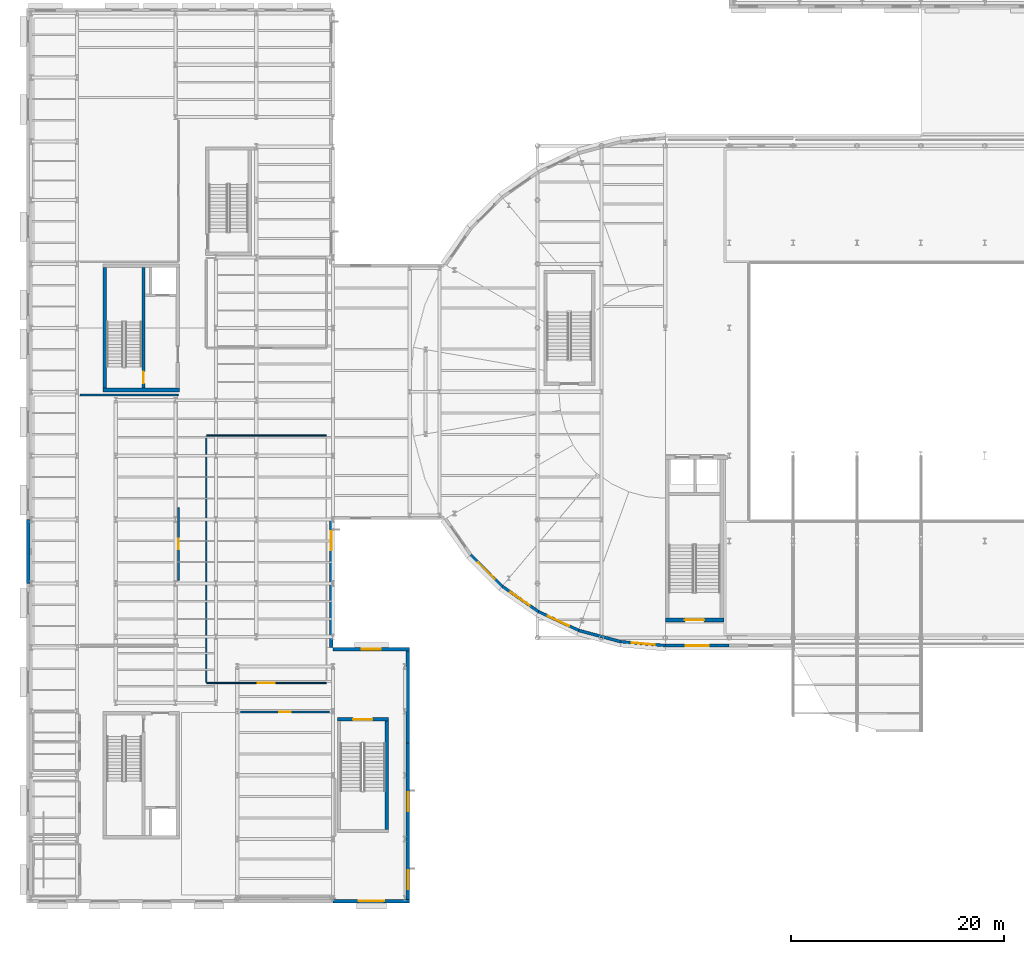
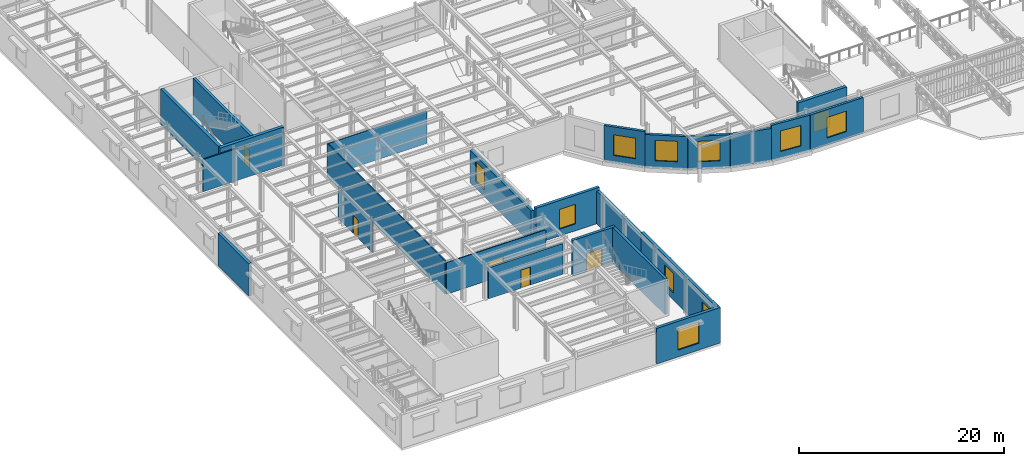
# One storey, part 64 of 91: 24 walls, 10 windows, 6 doors, 16 openings.
"""IFC4 building model written with IfcOpenShell, lengths in metres."""

from ifc_helpers import new_model, si_unit, direction, frame, frame_2d, origin, place, context, subcontext, project, spatial, rectangle, extrude, material, layer, layer_set, type_object, element, fill, save


model = new_model("IFC4")

# Units and contexts
model_context = context("Model", 3, precision=1e-05, world=origin(), true_north=direction((0.0, 1.0)))
body_context = subcontext(model_context, "Body", "Model", "MODEL_VIEW")
ifc_project = project(units=[si_unit("LENGTHUNIT", "METRE"), si_unit("AREAUNIT", "SQUARE_METRE"), si_unit("VOLUMEUNIT", "CUBIC_METRE"), si_unit("PLANEANGLEUNIT", "RADIAN"), si_unit("MASSUNIT", "GRAM", prefix="KILO")], contexts=[model_context])

# Site, building, storey
site_placement = place(None, origin())
site = spatial("IfcSite", under=ifc_project, at=site_placement, CompositionType="ELEMENT")
building_placement = place(site_placement, origin())
building = spatial("IfcBuilding", under=site, at=building_placement, Name="Kolvaren Corner Interchange", CompositionType="ELEMENT")
storey_placement = place(building_placement, frame((0.0, 0.0, 6.0)))
storey = spatial("IfcBuildingStorey", under=building, at=storey_placement, Name="L02", CompositionType="ELEMENT", Elevation=6.0)

# Walls
ifc_material_1 = material(Name="Concrete C35/45", Category="concrete")
ifc_layer_1 = layer(ifc_material_1, 0.35009765625)
ifc_layer_set_1 = layer_set([ifc_layer_1], Name="Concrete C35/45")
wall_type_1 = type_object("IfcWallType", Name="WL-CORE-350", PredefinedType="SHEAR", material=ifc_layer_set_1)
wall_1_placement = place(storey_placement, frame((7.199951171875, 48.175048828125, 0.0), z_axis=(0.0, 0.0, 1.0), x_axis=(1.0, 0.0, 0.0)))
element("IfcWall", 1, at=wall_1_placement, inside=storey, type_object=wall_type_1, Name="Core C2 L02 South Shear Wall", PredefinedType="SHEAR", context=body_context, shape_type="SweptSolid", body=[
    extrude(rectangle(XDim=7.199951171875, YDim=0.35009765625, at=frame_2d((3.60009765625, 0.0))), origin(), (0.0, 0.0, 1.0), 4.25),
])
wall_2_placement = place(storey_placement, frame((7.375, 48.35009765625, 0.0), z_axis=(0.0, 0.0, 1.0), x_axis=(0.0, 1.0, 0.0)))
element("IfcWall", 2, at=wall_2_placement, inside=storey, type_object=wall_type_1, Name="Core C2 L02 West Shear Wall", PredefinedType="SHEAR", context=body_context, shape_type="SweptSolid", body=[
    extrude(rectangle(XDim=11.2998046875, YDim=0.35009765625, at=frame_2d((5.64990234375, 0.0))), origin(), (0.0, 0.0, 1.0), 4.25),
])

# Wall, opening, door
wall_3_placement = place(storey_placement, frame((60.0, 26.574951171875, 0.0), z_axis=(0.0, 0.0, 1.0), x_axis=(1.0, 0.0, 0.0)))
wall_3 = element("IfcWall", 3, at=wall_3_placement, inside=storey, type_object=wall_type_1, Name="Core C3 L02 South Shear Wall", PredefinedType="SHEAR", context=body_context, shape_type="SweptSolid", body=[
    extrude(rectangle(XDim=5.5, YDim=0.35009765625, at=frame_2d((2.75, 0.0))), origin(), (0.0, 0.0, 1.0), 4.25),
])
opening_1_placement = place(wall_3_placement, frame((1.85009765625, 0.0, 0.0)))
opening_1 = element("IfcOpeningElement", 4, at=opening_1_placement, cuts=wall_3, Name="Opening D-F01", PredefinedType="OPENING", context=body_context, shape_type="SweptSolid", body=[
    extrude(rectangle(XDim=1.800048828125, YDim=2.14990234375, at=frame_2d((0.89990234375, 1.074951171875))), frame((0.0, 0.18505859375, 0.0), z_axis=(0.0, -1.0, 0.0), x_axis=(1.0, 0.0, 0.0)), (0.0, 0.0, 1.0), 0.3701171875),
])
ifc_material_2 = material(Name="Powder-coated Fire-rated Steel Sheet", Category="steel")
door_type_1 = type_object("IfcDoorType", Name="DT-FD-1800x2150", OperationType="NOTDEFINED", PredefinedType="DOOR", material=ifc_material_2)
door_1_placement = place(opening_1_placement, origin())
door_1 = element("IfcDoor", 5, at=door_1_placement, inside=storey, type_object=door_type_1, Name="Core C3 West Concourse Transfer Stair L02 Protected Exit Door", OperationType="DOUBLE_DOOR_SINGLE_SWING", OverallHeight=2.14990234375, OverallWidth=1.800048828125, PredefinedType="DOOR", context=body_context, shape_type="SweptSolid", body=[
    extrude(rectangle(XDim=1.800048828125, YDim=2.14990234375, at=frame_2d((0.89990234375, 1.074951171875))), frame((0.0, 0.02490234375, 0.0), z_axis=(0.0, -1.0, 0.0), x_axis=(1.0, 0.0, 0.0)), (0.0, 0.0, 1.0), 0.050048828125),
])
fill(opening_1, door_1)

ifc_material_3 = material(Name="Concrete C35/45", Category="concrete")
ifc_layer_2 = layer(ifc_material_3, 0.31005859375)
ifc_layer_set_2 = layer_set([ifc_layer_2], Name="Concrete C35/45")
wall_type_2 = type_object("IfcWallType", Name="WL-STAIR-300", PredefinedType="SHEAR", material=ifc_layer_set_2)
wall_4_placement = place(storey_placement, frame((11.0, 48.35009765625, 0.0), z_axis=(0.0, 0.0, 1.0), x_axis=(0.0, 1.0, 0.0)))
wall_4 = element("IfcWall", 6, at=wall_4_placement, inside=storey, type_object=wall_type_2, Name="Core C2 L02 Firefighting Stairwell Divider Wall", PredefinedType="SHEAR", context=body_context, shape_type="SweptSolid", body=[
    extrude(rectangle(XDim=11.2998046875, YDim=0.31005859375, at=frame_2d((5.64990234375, 0.0))), origin(), (0.0, 0.0, 1.0), 4.25),
])
opening_2_placement = place(wall_4_placement, frame((0.449951171875, 0.0, 0.0)))
opening_2 = element("IfcOpeningElement", 7, at=opening_2_placement, cuts=wall_4, Name="Opening D-F03", PredefinedType="OPENING", context=body_context, shape_type="SweptSolid", body=[
    extrude(rectangle(XDim=1.10009765625, YDim=2.14990234375, at=frame_2d((0.550048828125, 1.074951171875))), frame((0.0, 0.1650390625, 0.0), z_axis=(0.0, -1.0, 0.0), x_axis=(1.0, 0.0, 0.0)), (0.0, 0.0, 1.0), 0.330078125),
])
ifc_material_4 = material(Name="Powder-coated Fire-rated Steel Sheet", Category="steel")
door_type_2 = type_object("IfcDoorType", Name="DT-FD-1100x2150", OperationType="NOTDEFINED", PredefinedType="DOOR", material=ifc_material_4)
door_2_placement = place(opening_2_placement, origin())
door_2 = element("IfcDoor", 8, at=door_2_placement, inside=storey, type_object=door_type_2, Name="Core C2 Northwest Firefighting Stair L02 Protected Exit Door", OperationType="SINGLE_SWING_RIGHT", OverallHeight=2.14990234375, OverallWidth=1.10009765625, PredefinedType="DOOR", context=body_context, shape_type="SweptSolid", body=[
    extrude(rectangle(XDim=1.10009765625, YDim=2.14990234375, at=frame_2d((0.550048828125, 1.074951171875))), frame((0.0, 0.02490234375, 0.0), z_axis=(0.0, -1.0, 0.0), x_axis=(1.0, 0.0, 0.0)), (0.0, 0.0, 1.0), 0.050048828125),
])
fill(opening_2, door_2)

wall_5_placement = place(storey_placement, frame((29.199951171875, 17.2451171875, 0.0), z_axis=(0.0, 0.0, 1.0), x_axis=(1.0, 0.0, 0.0)))
wall_5 = element("IfcWall", 9, at=wall_5_placement, inside=storey, type_object=wall_type_2, Name="Operations South Bar Protected Exit Stair L02 North Enclosure Wall", PredefinedType="SHEAR", context=body_context, shape_type="SweptSolid", body=[
    extrude(rectangle(XDim=4.800048828125, YDim=0.31005859375, at=frame_2d((2.39990234375, 0.0))), origin(), (0.0, 0.0, 1.0), 4.25),
])
opening_3_placement = place(wall_5_placement, frame((1.5, 0.0, 0.0)))
opening_3 = element("IfcOpeningElement", 10, at=opening_3_placement, cuts=wall_5, Name="Opening D-F01", PredefinedType="OPENING", context=body_context, shape_type="SweptSolid", body=[
    extrude(rectangle(XDim=1.800048828125, YDim=2.14990234375, at=frame_2d((0.89990234375, 1.074951171875))), frame((0.0, 0.1650390625, 0.0), z_axis=(0.0, -1.0, 0.0), x_axis=(1.0, 0.0, 0.0)), (0.0, 0.0, 1.0), 0.330078125),
])
door_3_placement = place(opening_3_placement, origin())
door_3 = element("IfcDoor", 11, at=door_3_placement, inside=storey, type_object=door_type_1, Name="Operations South Bar Protected Exit Stair L02 Protected Exit Door", OperationType="DOUBLE_DOOR_SINGLE_SWING", OverallHeight=2.14990234375, OverallWidth=1.800048828125, PredefinedType="DOOR", context=body_context, shape_type="SweptSolid", body=[
    extrude(rectangle(XDim=1.800048828125, YDim=2.14990234375, at=frame_2d((0.89990234375, 1.074951171875))), frame((0.0, 0.02490234375, 0.0), z_axis=(0.0, -1.0, 0.0), x_axis=(1.0, 0.0, 0.0)), (0.0, 0.0, 1.0), 0.050048828125),
])
fill(opening_3, door_3)

# Wall
wall_6_placement = place(storey_placement, frame((33.844970703125, 6.909912109375, 0.0), z_axis=(0.0, 0.0, 1.0), x_axis=(0.0, 1.0, 0.0)))
element("IfcWall", 12, at=wall_6_placement, inside=storey, type_object=wall_type_2, Name="Operations South Bar Protected Exit Stair L02 East Enclosure Wall", PredefinedType="SHEAR", context=body_context, shape_type="SweptSolid", body=[
    extrude(rectangle(XDim=10.18017578125, YDim=0.31005859375, at=frame_2d((5.090087890625, 0.0))), origin(), (0.0, 0.0, 1.0), 4.25),
])

# Wall, opening, window
ifc_material_5 = material(Name="Cream Architectural Terracotta Rainscreen Assembly", Category="masonry")
ifc_layer_3 = layer(ifc_material_5, 0.330078125)
ifc_layer_set_3 = layer_set([ifc_layer_3], Name="Cream Architectural Terracotta Rainscreen Assembly")
wall_type_3 = type_object("IfcWallType", Name="WT-EXT-TC320", PredefinedType="SOLIDWALL", material=ifc_layer_set_3)
wall_7_placement = place(storey_placement, frame((28.800048828125, 0.179931640625, 0.0), z_axis=(0.0, 0.0, 1.0), x_axis=(1.0, 0.0, 0.0)))
wall_7 = element("IfcWall", 13, at=wall_7_placement, inside=storey, type_object=wall_type_3, Name="Operations Boulevard South Facade Wall 0015", PredefinedType="SOLIDWALL", context=body_context, shape_type="SweptSolid", body=[
    extrude(rectangle(XDim=7.199951171875, YDim=0.330078125, at=frame_2d((3.60009765625, 0.0))), origin(), (0.0, 0.0, 1.0), 4.25),
])
opening_4_placement = place(wall_7_placement, frame((2.39990234375, 0.0, 0.820068359375)))
opening_4 = element("IfcOpeningElement", 14, at=opening_4_placement, cuts=wall_7, Name="Opening W-01", PredefinedType="OPENING", context=body_context, shape_type="SweptSolid", body=[
    extrude(rectangle(XDim=2.39990234375, YDim=2.550048828125, at=frame_2d((1.199951171875, 1.27490234375))), frame((0.0, 0.175048828125, 0.0), z_axis=(0.0, -1.0, 0.0), x_axis=(1.0, 0.0, 0.0)), (0.0, 0.0, 1.0), 0.35009765625),
])
ifc_material_6 = material(Name="Thermally Broken Aluminium and Solar-Control Double Glazing", Category="aluminium")
window_type_1 = type_object("IfcWindowType", Name="WT-CHI-2400x2600", PartitioningType="TRIPLE_PANEL_HORIZONTAL", PredefinedType="WINDOW", material=ifc_material_6)
window_1_placement = place(opening_4_placement, origin())
window_1 = element("IfcWindow", 15, at=window_1_placement, inside=storey, type_object=window_type_1, Name="L02 Operations Boulevard South Facade Window 0032", OverallHeight=2.550048828125, OverallWidth=2.39990234375, PartitioningType="SINGLE_PANEL", PredefinedType="WINDOW", context=body_context, shape_type="SweptSolid", body=[
    extrude(rectangle(XDim=2.39990234375, YDim=2.550048828125, at=frame_2d((1.199951171875, 1.27490234375))), frame((0.0, 0.030029296875, 0.0), z_axis=(0.0, -1.0, 0.0), x_axis=(1.0, 0.0, 0.0)), (0.0, 0.0, 1.0), 0.06005859375),
])
fill(opening_4, window_1)

# Wall, openings, windows
wall_8_placement = place(storey_placement, frame((35.830078125, 0.344970703125, 0.0), z_axis=(0.0, 0.0, 1.0), x_axis=(0.0, 1.0, 0.0)))
wall_8 = element("IfcWall", 16, at=wall_8_placement, inside=storey, type_object=wall_type_3, Name="Operations Forecourt East Facade Wall 0016", PredefinedType="SOLIDWALL", context=body_context, shape_type="SweptSolid", body=[
    extrude(rectangle(XDim=14.655029296875, YDim=0.330078125, at=frame_2d((7.32763671875, 0.0))), origin(), (0.0, 0.0, 1.0), 4.25),
])
opening_5_placement = place(wall_8_placement, frame((0.931884765625, 0.0, 0.820068359375)))
opening_5 = element("IfcOpeningElement", 17, at=opening_5_placement, cuts=wall_8, Name="Opening W-03", PredefinedType="OPENING", context=body_context, shape_type="SweptSolid", body=[
    extrude(rectangle(XDim=1.800048828125, YDim=2.35009765625, at=frame_2d((0.89990234375, 1.175048828125))), frame((0.0, 0.175048828125, 0.0), z_axis=(0.0, -1.0, 0.0), x_axis=(1.0, 0.0, 0.0)), (0.0, 0.0, 1.0), 0.35009765625),
])
opening_6_placement = place(wall_8_placement, frame((8.259521484375, 0.0, 0.820068359375)))
opening_6 = element("IfcOpeningElement", 18, at=opening_6_placement, cuts=wall_8, Name="Opening W-03", PredefinedType="OPENING", context=body_context, shape_type="SweptSolid", body=[
    extrude(rectangle(XDim=1.800048828125, YDim=2.35009765625, at=frame_2d((0.89990234375, 1.175048828125))), frame((0.0, 0.175048828125, 0.0), z_axis=(0.0, -1.0, 0.0), x_axis=(1.0, 0.0, 0.0)), (0.0, 0.0, 1.0), 0.35009765625),
])
ifc_material_7 = material(Name="Thermally Broken Aluminium and Solar-Control Double Glazing", Category="aluminium")
window_type_2 = type_object("IfcWindowType", Name="WT-CHI-1800x2400", PartitioningType="DOUBLE_PANEL_VERTICAL", PredefinedType="WINDOW", material=ifc_material_7)
window_2_placement = place(opening_5_placement, origin())
window_2 = element("IfcWindow", 19, at=window_2_placement, inside=storey, type_object=window_type_2, Name="L02 Operations Forecourt East Facade Window 0033", OverallHeight=2.35009765625, OverallWidth=1.800048828125, PartitioningType="SINGLE_PANEL", PredefinedType="WINDOW", context=body_context, shape_type="SweptSolid", body=[
    extrude(rectangle(XDim=1.800048828125, YDim=2.35009765625, at=frame_2d((0.89990234375, 1.175048828125))), frame((0.0, 0.030029296875, 0.0), z_axis=(0.0, -1.0, 0.0), x_axis=(1.0, 0.0, 0.0)), (0.0, 0.0, 1.0), 0.06005859375),
])
fill(opening_5, window_2)
window_3_placement = place(opening_6_placement, origin())
window_3 = element("IfcWindow", 20, at=window_3_placement, inside=storey, type_object=window_type_2, Name="L02 Operations Forecourt East Facade Window 0034", OverallHeight=2.35009765625, OverallWidth=1.800048828125, PartitioningType="SINGLE_PANEL", PredefinedType="WINDOW", context=body_context, shape_type="SweptSolid", body=[
    extrude(rectangle(XDim=1.800048828125, YDim=2.35009765625, at=frame_2d((0.89990234375, 1.175048828125))), frame((0.0, 0.030029296875, 0.0), z_axis=(0.0, -1.0, 0.0), x_axis=(1.0, 0.0, 0.0)), (0.0, 0.0, 1.0), 0.06005859375),
])
fill(opening_6, window_3)

# Wall
wall_9_placement = place(storey_placement, frame((35.830078125, 15.0, 0.0), z_axis=(0.0, 0.0, 1.0), x_axis=(0.0, 1.0, 0.0)))
element("IfcWall", 21, at=wall_9_placement, inside=storey, type_object=wall_type_3, Name="Operations Forecourt East Facade Wall 0017", PredefinedType="SOLIDWALL", context=body_context, shape_type="SweptSolid", body=[
    extrude(rectangle(XDim=8.64990234375, YDim=0.330078125, at=frame_2d((4.324951171875, 0.0))), origin(), (0.0, 0.0, 1.0), 3.925048828125),
])

# Wall, opening, window
wall_10_placement = place(storey_placement, frame((36.0, 23.830078125, 0.0), z_axis=(0.0, 0.0, 1.0), x_axis=(-1.0, 0.0, 0.0)))
wall_10 = element("IfcWall", 22, at=wall_10_placement, inside=storey, type_object=wall_type_3, Name="Operations Inner Courtyard South Return Wall 0018", PredefinedType="SOLIDWALL", context=body_context, shape_type="SweptSolid", body=[
    extrude(rectangle(XDim=7.199951171875, YDim=0.330078125, at=frame_2d((3.60009765625, 0.0))), origin(), (0.0, 0.0, 1.0), 4.25),
])
opening_7_placement = place(wall_10_placement, frame((2.699951171875, 0.0, 0.820068359375)))
opening_7 = element("IfcOpeningElement", 23, at=opening_7_placement, cuts=wall_10, Name="Opening W-03", PredefinedType="OPENING", context=body_context, shape_type="SweptSolid", body=[
    extrude(rectangle(XDim=1.800048828125, YDim=2.35009765625, at=frame_2d((0.89990234375, 1.175048828125))), frame((0.0, 0.175048828125, 0.0), z_axis=(0.0, -1.0, 0.0), x_axis=(1.0, 0.0, 0.0)), (0.0, 0.0, 1.0), 0.35009765625),
])
window_4_placement = place(opening_7_placement, origin())
window_4 = element("IfcWindow", 24, at=window_4_placement, inside=storey, type_object=window_type_2, Name="L02 Operations Inner Courtyard South Return Window 0035", OverallHeight=2.35009765625, OverallWidth=1.800048828125, PartitioningType="SINGLE_PANEL", PredefinedType="WINDOW", context=body_context, shape_type="SweptSolid", body=[
    extrude(rectangle(XDim=1.800048828125, YDim=2.35009765625, at=frame_2d((0.89990234375, 1.175048828125))), frame((0.0, 0.030029296875, 0.0), z_axis=(0.0, -1.0, 0.0), x_axis=(1.0, 0.0, 0.0)), (0.0, 0.0, 1.0), 0.06005859375),
])
fill(opening_7, window_4)

wall_11_placement = place(storey_placement, frame((28.6298828125, 24.0, 0.0), z_axis=(0.0, 0.0, 1.0), x_axis=(0.0, 1.0, 0.0)))
wall_11 = element("IfcWall", 25, at=wall_11_placement, inside=storey, type_object=wall_type_3, Name="Operations Courtyard Lower East Facade Wall 0019", PredefinedType="SOLIDWALL", context=body_context, shape_type="SweptSolid", body=[
    extrude(rectangle(XDim=12.0, YDim=0.330078125, at=frame_2d((6.0, 0.0))), origin(), (0.0, 0.0, 1.0), 3.844970703125),
])
opening_8_placement = place(wall_11_placement, frame((9.10009765625, 0.0, 0.820068359375)))
opening_8 = element("IfcOpeningElement", 26, at=opening_8_placement, cuts=wall_11, Name="Opening W-03", PredefinedType="OPENING", context=body_context, shape_type="SweptSolid", body=[
    extrude(rectangle(XDim=1.800048828125, YDim=2.35009765625, at=frame_2d((0.89990234375, 1.175048828125))), frame((0.0, 0.175048828125, 0.0), z_axis=(0.0, -1.0, 0.0), x_axis=(1.0, 0.0, 0.0)), (0.0, 0.0, 1.0), 0.35009765625),
])
window_5_placement = place(opening_8_placement, origin())
window_5 = element("IfcWindow", 27, at=window_5_placement, inside=storey, type_object=window_type_2, Name="L02 Operations Courtyard Lower East Facade Window 0036", OverallHeight=2.35009765625, OverallWidth=1.800048828125, PartitioningType="SINGLE_PANEL", PredefinedType="WINDOW", context=body_context, shape_type="SweptSolid", body=[
    extrude(rectangle(XDim=1.800048828125, YDim=2.35009765625, at=frame_2d((0.89990234375, 1.175048828125))), frame((0.0, 0.030029296875, 0.0), z_axis=(0.0, -1.0, 0.0), x_axis=(1.0, 0.0, 0.0)), (0.0, 0.0, 1.0), 0.06005859375),
])
fill(opening_8, window_5)

# Wall
wall_12_placement = place(storey_placement, frame((0.169921875, 36.0, 0.0), z_axis=(0.0, 0.0, 1.0), x_axis=(0.0, -1.0, 0.0)))
element("IfcWall", 28, at=wall_12_placement, inside=storey, type_object=wall_type_3, Name="Operations Trelmava Street West Facade Wall 0023", PredefinedType="SOLIDWALL", context=body_context, shape_type="SweptSolid", body=[
    extrude(rectangle(XDim=6.0, YDim=0.330078125, at=frame_2d((3.0, 0.0))), origin(), (0.0, 0.0, 1.0), 3.885009765625),
])

# Wall, opening, window
ifc_material_8 = material(Name="White Glazed Ceramic Terracotta Band Assembly", Category="masonry")
ifc_layer_4 = layer(ifc_material_8, 0.280029296875)
ifc_layer_set_4 = layer_set([ifc_layer_4], Name="White Glazed Ceramic Terracotta Band Assembly")
wall_type_4 = type_object("IfcWallType", Name="WT-EXT-WHT280", PredefinedType="SOLIDWALL", material=ifc_layer_set_4)
wall_13_placement = place(storey_placement, frame((41.737548828125, 32.67578125, 0.0), z_axis=(0.0, 0.0, 1.0), x_axis=(0.707106781187, -0.707106781187, 0.0)))
wall_13 = element("IfcWall", 29, at=wall_13_placement, inside=storey, type_object=wall_type_4, Name="Racetrack West Curved Drum Chord 14 Wall 0084", PredefinedType="SOLIDWALL", context=body_context, shape_type="SweptSolid", body=[
    extrude(rectangle(XDim=4.1552734375, YDim=0.280029296875, at=frame_2d((2.07763671875, 0.0))), origin(), (0.0, 0.0, 1.0), 4.25),
])
opening_9_placement = place(wall_13_placement, frame((0.977783203125, 0.0, 0.85009765625)))
opening_9 = element("IfcOpeningElement", 30, at=opening_9_placement, cuts=wall_13, Name="Opening W-04", PredefinedType="OPENING", context=body_context, shape_type="SweptSolid", body=[
    extrude(rectangle(XDim=2.199951171875, YDim=2.449951171875, at=frame_2d((1.10009765625, 1.22509765625))), frame((0.0, 0.14990234375, 0.0), z_axis=(0.0, -1.0, 0.0), x_axis=(1.0, 0.0, 0.0)), (0.0, 0.0, 1.0), 0.300048828125),
])
ifc_material_9 = material(Name="Thermally Broken Aluminium and Solar-Control Double Glazing", Category="aluminium")
window_type_3 = type_object("IfcWindowType", Name="WT-ARC-2200x2450", PartitioningType="DOUBLE_PANEL_VERTICAL", PredefinedType="WINDOW", material=ifc_material_9)
window_6_placement = place(opening_9_placement, origin())
window_6 = element("IfcWindow", 31, at=window_6_placement, inside=storey, type_object=window_type_3, Name="L02 Racetrack West Curved Drum Chord 14 Window 0161", OverallHeight=2.449951171875, OverallWidth=2.199951171875, PartitioningType="SINGLE_PANEL", PredefinedType="WINDOW", context=body_context, shape_type="SweptSolid", body=[
    extrude(rectangle(XDim=2.199951171875, YDim=2.449951171875, at=frame_2d((1.10009765625, 1.22509765625))), frame((0.0, 0.030029296875, 0.0), z_axis=(0.0, -1.0, 0.0), x_axis=(1.0, 0.0, 0.0)), (0.0, 0.0, 1.0), 0.06005859375),
])
fill(opening_9, window_6)

wall_14_placement = place(storey_placement, frame((44.67578125, 29.737548828125, 0.0), z_axis=(0.0, 0.0, 1.0), x_axis=(0.819171197327, -0.573549082007, 0.0)))
wall_14 = element("IfcWall", 32, at=wall_14_placement, inside=storey, type_object=wall_type_4, Name="Racetrack West Curved Drum Chord 15 Wall 0085", PredefinedType="SOLIDWALL", context=body_context, shape_type="SweptSolid", body=[
    extrude(rectangle(XDim=4.15576171875, YDim=0.280029296875, at=frame_2d((2.077880859375, 0.0))), origin(), (0.0, 0.0, 1.0), 3.925048828125),
])
opening_10_placement = place(wall_14_placement, frame((0.977783203125, 0.0, 0.85009765625)))
opening_10 = element("IfcOpeningElement", 33, at=opening_10_placement, cuts=wall_14, Name="Opening W-04", PredefinedType="OPENING", context=body_context, shape_type="SweptSolid", body=[
    extrude(rectangle(XDim=2.199951171875, YDim=2.449951171875, at=frame_2d((1.10009765625, 1.22509765625))), frame((0.0, 0.14990234375, 0.0), z_axis=(0.0, -1.0, 0.0), x_axis=(1.0, 0.0, 0.0)), (0.0, 0.0, 1.0), 0.300048828125),
])
window_7_placement = place(opening_10_placement, origin())
window_7 = element("IfcWindow", 34, at=window_7_placement, inside=storey, type_object=window_type_3, Name="L02 Racetrack West Curved Drum Chord 15 Window 0162", OverallHeight=2.449951171875, OverallWidth=2.199951171875, PartitioningType="SINGLE_PANEL", PredefinedType="WINDOW", context=body_context, shape_type="SweptSolid", body=[
    extrude(rectangle(XDim=2.199951171875, YDim=2.449951171875, at=frame_2d((1.10009765625, 1.22509765625))), frame((0.0, 0.030029296875, 0.0), z_axis=(0.0, -1.0, 0.0), x_axis=(1.0, 0.0, 0.0)), (0.0, 0.0, 1.0), 0.06005859375),
])
fill(opening_10, window_7)

wall_15_placement = place(storey_placement, frame((48.080078125, 27.35400390625, 0.0), z_axis=(0.0, 0.0, 1.0), x_axis=(0.906291177731, -0.422653878685, 0.0)))
wall_15 = element("IfcWall", 35, at=wall_15_placement, inside=storey, type_object=wall_type_4, Name="Racetrack West Curved Drum Chord 16 Wall 0086", PredefinedType="SOLIDWALL", context=body_context, shape_type="SweptSolid", body=[
    extrude(rectangle(XDim=4.155517578125, YDim=0.280029296875, at=frame_2d((2.07763671875, 0.0))), origin(), (0.0, 0.0, 1.0), 3.905029296875),
])
opening_11_placement = place(wall_15_placement, frame((0.977783203125, 0.0, 0.85009765625)))
opening_11 = element("IfcOpeningElement", 36, at=opening_11_placement, cuts=wall_15, Name="Opening W-04", PredefinedType="OPENING", context=body_context, shape_type="SweptSolid", body=[
    extrude(rectangle(XDim=2.199951171875, YDim=2.449951171875, at=frame_2d((1.10009765625, 1.22509765625))), frame((0.0, 0.14990234375, 0.0), z_axis=(0.0, -1.0, 0.0), x_axis=(1.0, 0.0, 0.0)), (0.0, 0.0, 1.0), 0.300048828125),
])
window_8_placement = place(opening_11_placement, origin())
window_8 = element("IfcWindow", 37, at=window_8_placement, inside=storey, type_object=window_type_3, Name="L02 Racetrack West Curved Drum Chord 16 Window 0163", OverallHeight=2.449951171875, OverallWidth=2.199951171875, PartitioningType="SINGLE_PANEL", PredefinedType="WINDOW", context=body_context, shape_type="SweptSolid", body=[
    extrude(rectangle(XDim=2.199951171875, YDim=2.449951171875, at=frame_2d((1.10009765625, 1.22509765625))), frame((0.0, 0.030029296875, 0.0), z_axis=(0.0, -1.0, 0.0), x_axis=(1.0, 0.0, 0.0)), (0.0, 0.0, 1.0), 0.06005859375),
])
fill(opening_11, window_8)

# Wall
wall_16_placement = place(storey_placement, frame((51.84619140625, 25.59765625, 0.0), z_axis=(0.0, 0.0, 1.0), x_axis=(0.965931006096, -0.258799713026, 0.0)))
element("IfcWall", 38, at=wall_16_placement, inside=storey, type_object=wall_type_4, Name="Racetrack West Curved Drum Chord 17 Wall 0087", PredefinedType="SOLIDWALL", context=body_context, shape_type="SweptSolid", body=[
    extrude(rectangle(XDim=4.155517578125, YDim=0.280029296875, at=frame_2d((2.07763671875, 0.0))), origin(), (0.0, 0.0, 1.0), 3.885009765625),
])

# Wall, opening, window
wall_17_placement = place(storey_placement, frame((55.860107421875, 24.522216796875, 0.0), z_axis=(0.0, 0.0, 1.0), x_axis=(0.99619237826, -0.087182254487, 0.0)))
wall_17 = element("IfcWall", 39, at=wall_17_placement, inside=storey, type_object=wall_type_4, Name="Racetrack West Curved Drum Chord 18 Wall 0088", PredefinedType="SOLIDWALL", context=body_context, shape_type="SweptSolid", body=[
    extrude(rectangle(XDim=4.15576171875, YDim=0.280029296875, at=frame_2d((2.077880859375, 0.0))), origin(), (0.0, 0.0, 1.0), 4.25),
])
opening_12_placement = place(wall_17_placement, frame((0.977783203125, 0.0, 0.85009765625)))
opening_12 = element("IfcOpeningElement", 40, at=opening_12_placement, cuts=wall_17, Name="Opening W-04", PredefinedType="OPENING", context=body_context, shape_type="SweptSolid", body=[
    extrude(rectangle(XDim=2.199951171875, YDim=2.449951171875, at=frame_2d((1.10009765625, 1.22509765625))), frame((0.0, 0.14990234375, 0.0), z_axis=(0.0, -1.0, 0.0), x_axis=(1.0, 0.0, 0.0)), (0.0, 0.0, 1.0), 0.300048828125),
])
window_9_placement = place(opening_12_placement, origin())
window_9 = element("IfcWindow", 41, at=window_9_placement, inside=storey, type_object=window_type_3, Name="L02 Racetrack West Curved Drum Chord 18 Window 0164", OverallHeight=2.449951171875, OverallWidth=2.199951171875, PartitioningType="SINGLE_PANEL", PredefinedType="WINDOW", context=body_context, shape_type="SweptSolid", body=[
    extrude(rectangle(XDim=2.199951171875, YDim=2.449951171875, at=frame_2d((1.10009765625, 1.22509765625))), frame((0.0, 0.030029296875, 0.0), z_axis=(0.0, -1.0, 0.0), x_axis=(1.0, 0.0, 0.0)), (0.0, 0.0, 1.0), 0.06005859375),
])
fill(opening_12, window_9)

wall_18_placement = place(storey_placement, frame((60.0, 24.159912109375, 0.0), z_axis=(0.0, 0.0, 1.0), x_axis=(1.0, 0.0, 0.0)))
wall_18 = element("IfcWall", 42, at=wall_18_placement, inside=storey, type_object=wall_type_4, Name="South West Concourse Mezzanine Wall 0150", PredefinedType="SOLIDWALL", context=body_context, shape_type="SweptSolid", body=[
    extrude(rectangle(XDim=6.0, YDim=0.280029296875, at=frame_2d((3.0, 0.0))), origin(), (0.0, 0.0, 1.0), 4.25),
])
opening_13_placement = place(wall_18_placement, frame((1.89990234375, 0.0, 0.85009765625)))
opening_13 = element("IfcOpeningElement", 43, at=opening_13_placement, cuts=wall_18, Name="Opening W-04", PredefinedType="OPENING", context=body_context, shape_type="SweptSolid", body=[
    extrude(rectangle(XDim=2.199951171875, YDim=2.449951171875, at=frame_2d((1.10009765625, 1.22509765625))), frame((0.0, 0.14990234375, 0.0), z_axis=(0.0, -1.0, 0.0), x_axis=(1.0, 0.0, 0.0)), (0.0, 0.0, 1.0), 0.300048828125),
])
window_10_placement = place(opening_13_placement, origin())
window_10 = element("IfcWindow", 44, at=window_10_placement, inside=storey, type_object=window_type_3, Name="L02 South West Concourse Mezzanine Window 0213", OverallHeight=2.449951171875, OverallWidth=2.199951171875, PartitioningType="SINGLE_PANEL", PredefinedType="WINDOW", context=body_context, shape_type="SweptSolid", body=[
    extrude(rectangle(XDim=2.199951171875, YDim=2.449951171875, at=frame_2d((1.10009765625, 1.22509765625))), frame((0.0, 0.030029296875, 0.0), z_axis=(0.0, -1.0, 0.0), x_axis=(1.0, 0.0, 0.0)), (0.0, 0.0, 1.0), 0.06005859375),
])
fill(opening_13, window_10)

# Wall, opening, door
ifc_material_10 = material(Name="Acoustic Double-Stud Drywall Partition")
ifc_layer_5 = layer(ifc_material_10, 0.159912109375)
ifc_layer_set_5 = layer_set([ifc_layer_5], Name="Acoustic Double-Stud Drywall Partition")
wall_type_5 = type_object("IfcWallType", Name="WT-PART-AC160", PredefinedType="PARTITIONING", material=ifc_layer_set_5)
wall_19_placement = place(storey_placement, frame((14.300048828125, 30.31005859375, 0.0), z_axis=(0.0, 0.0, 1.0), x_axis=(0.0, 1.0, 0.0)))
wall_19 = element("IfcWall", 45, at=wall_19_placement, inside=storey, type_object=wall_type_5, Name="L02 Driver Quiet Rest Suites Partition Wall 099", PredefinedType="PARTITIONING", context=body_context, shape_type="SweptSolid", body=[
    extrude(rectangle(XDim=6.81494140625, YDim=0.159912109375, at=frame_2d((3.407470703125, 0.0))), origin(), (0.0, 0.0, 1.0), 3.844970703125),
])
opening_14_placement = place(wall_19_placement, frame((2.907470703125, 0.0, 0.0)))
opening_14 = element("IfcOpeningElement", 46, at=opening_14_placement, cuts=wall_19, Name="Opening D-F04", PredefinedType="OPENING", context=body_context, shape_type="SweptSolid", body=[
    extrude(rectangle(XDim=1.0, YDim=2.14990234375, at=frame_2d((0.5, 1.074951171875))), frame((0.0, 0.08984375, 0.0), z_axis=(0.0, -1.0, 0.0), x_axis=(1.0, 0.0, 0.0)), (0.0, 0.0, 1.0), 0.179931640625),
])
ifc_material_11 = material(Name="Solid-Core Iroko Timber Fire Door", Category="wood")
door_type_3 = type_object("IfcDoorType", Name="DT-FD-1000x2150", OperationType="NOTDEFINED", PredefinedType="DOOR", material=ifc_material_11)
door_4_placement = place(opening_14_placement, origin())
door_4 = element("IfcDoor", 47, at=door_4_placement, inside=storey, type_object=door_type_3, Name="L02 Driver Quiet Rest Suites Door", OperationType="SINGLE_SWING_RIGHT", OverallHeight=2.14990234375, OverallWidth=1.0, PredefinedType="DOOR", context=body_context, shape_type="SweptSolid", body=[
    extrude(rectangle(XDim=1.0, YDim=2.14990234375, at=frame_2d((0.5, 1.074951171875))), frame((0.0, 0.02490234375, 0.0), z_axis=(0.0, -1.0, 0.0), x_axis=(1.0, 0.0, 0.0)), (0.0, 0.0, 1.0), 0.050048828125),
])
fill(opening_14, door_4)

# Wall
wall_20_placement = place(storey_placement, frame((14.25, 47.699951171875, 0.0), z_axis=(0.0, 0.0, 1.0), x_axis=(-1.0, 0.0, 0.0)))
element("IfcWall", 48, at=wall_20_placement, inside=storey, type_object=wall_type_5, Name="L02 Driver Quiet Rest Suites Partition Wall 100", PredefinedType="PARTITIONING", context=body_context, shape_type="SweptSolid", body=[
    extrude(rectangle(XDim=9.18994140625, YDim=0.159912109375, at=frame_2d((4.594970703125, 0.0))), origin(), (0.0, 0.0, 1.0), 3.844970703125),
])

# Wall, opening, door
ifc_material_12 = material(Name="Fire-Rated Gypsum Block Partition")
ifc_layer_6 = layer(ifc_material_12, 0.199951171875)
ifc_layer_set_6 = layer_set([ifc_layer_6], Name="Fire-Rated Gypsum Block Partition")
wall_type_6 = type_object("IfcWallType", Name="WT-PART-FR200", PredefinedType="PARTITIONING", material=ifc_layer_set_6)
wall_21_placement = place(storey_placement, frame((28.489990234375, 17.949951171875, 0.0), z_axis=(0.0, 0.0, 1.0), x_axis=(-1.0, 0.0, 0.0)))
wall_21 = element("IfcWall", 49, at=wall_21_placement, inside=storey, type_object=wall_type_6, Name="L02 Canteen Servery and Kitchen Partition Wall 097", PredefinedType="PARTITIONING", context=body_context, shape_type="SweptSolid", body=[
    extrude(rectangle(XDim=8.3798828125, YDim=0.199951171875, at=frame_2d((4.18994140625, 0.0))), origin(), (0.0, 0.0, 1.0), 3.695068359375),
])
opening_15_placement = place(wall_21_placement, frame((3.639892578125, 0.0, 0.0)))
opening_15 = element("IfcOpeningElement", 50, at=opening_15_placement, cuts=wall_21, Name="Opening D-F03", PredefinedType="OPENING", context=body_context, shape_type="SweptSolid", body=[
    extrude(rectangle(XDim=1.10009765625, YDim=2.14990234375, at=frame_2d((0.550048828125, 1.074951171875))), frame((0.0, 0.10986328125, 0.0), z_axis=(0.0, -1.0, 0.0), x_axis=(1.0, 0.0, 0.0)), (0.0, 0.0, 1.0), 0.219970703125),
])
door_5_placement = place(opening_15_placement, origin())
door_5 = element("IfcDoor", 51, at=door_5_placement, inside=storey, type_object=door_type_2, Name="L02 Canteen Servery and Kitchen Door", OperationType="SINGLE_SWING_LEFT", OverallHeight=2.14990234375, OverallWidth=1.10009765625, PredefinedType="DOOR", context=body_context, shape_type="SweptSolid", body=[
    extrude(rectangle(XDim=1.10009765625, YDim=2.14990234375, at=frame_2d((0.550048828125, 1.074951171875))), frame((0.0, 0.02490234375, 0.0), z_axis=(0.0, -1.0, 0.0), x_axis=(1.0, 0.0, 0.0)), (0.0, 0.0, 1.0), 0.050048828125),
])
fill(opening_15, door_5)

ifc_material_13 = material(Name="Standard Metal-Stud Drywall Partition")
ifc_layer_7 = layer(ifc_material_13, 0.1201171875)
ifc_layer_set_7 = layer_set([ifc_layer_7], Name="Standard Metal-Stud Drywall Partition")
wall_type_7 = type_object("IfcWallType", Name="WT-PART-ST125", PredefinedType="PARTITIONING", material=ifc_layer_set_7)
wall_22_placement = place(storey_placement, frame((16.949951171875, 20.64990234375, 0.0), z_axis=(0.0, 0.0, 1.0), x_axis=(1.0, 0.0, 0.0)))
wall_22 = element("IfcWall", 52, at=wall_22_placement, inside=storey, type_object=wall_type_7, Name="L02 Staff Canteen and Dining Hall Partition Wall 092", PredefinedType="PARTITIONING", context=body_context, shape_type="SweptSolid", body=[
    extrude(rectangle(XDim=11.199951171875, YDim=0.1201171875, at=frame_2d((5.60009765625, 0.0))), origin(), (0.0, 0.0, 1.0), 3.784912109375),
])
opening_16_placement = place(wall_22_placement, frame((4.800048828125, 0.0, 0.0)))
opening_16 = element("IfcOpeningElement", 53, at=opening_16_placement, cuts=wall_22, Name="Opening D-I01", PredefinedType="OPENING", context=body_context, shape_type="SweptSolid", body=[
    extrude(rectangle(XDim=1.60009765625, YDim=2.199951171875, at=frame_2d((0.800048828125, 1.10009765625))), frame((0.0, 0.070068359375, 0.0), z_axis=(0.0, -1.0, 0.0), x_axis=(1.0, 0.0, 0.0)), (0.0, 0.0, 1.0), 0.14013671875),
])
ifc_material_14 = material(Name="Anodised Aluminium Acoustic Double Door", Category="aluminium")
door_type_4 = type_object("IfcDoorType", Name="DT-INT-1600x2200", OperationType="NOTDEFINED", PredefinedType="DOOR", material=ifc_material_14)
door_6_placement = place(opening_16_placement, origin())
door_6 = element("IfcDoor", 54, at=door_6_placement, inside=storey, type_object=door_type_4, Name="L02 Staff Canteen and Dining Hall Door", OperationType="DOUBLE_DOOR_SINGLE_SWING", OverallHeight=2.199951171875, OverallWidth=1.60009765625, PredefinedType="DOOR", context=body_context, shape_type="SweptSolid", body=[
    extrude(rectangle(XDim=1.60009765625, YDim=2.199951171875, at=frame_2d((0.800048828125, 1.10009765625))), frame((0.0, 0.02490234375, 0.0), z_axis=(0.0, -1.0, 0.0), x_axis=(1.0, 0.0, 0.0)), (0.0, 0.0, 1.0), 0.050048828125),
])
fill(opening_16, door_6)

# Walls
wall_23_placement = place(storey_placement, frame((28.14990234375, 43.89990234375, 0.0), z_axis=(0.0, 0.0, 1.0), x_axis=(-1.0, 0.0, 0.0)))
element("IfcWall", 55, at=wall_23_placement, inside=storey, type_object=wall_type_7, Name="L02 Staff Canteen and Dining Hall Partition Wall 093", PredefinedType="PARTITIONING", context=body_context, shape_type="SweptSolid", body=[
    extrude(rectangle(XDim=11.199951171875, YDim=0.1201171875, at=frame_2d((5.60009765625, 0.0))), origin(), (0.0, 0.0, 1.0), 3.875),
])
wall_24_placement = place(storey_placement, frame((16.89990234375, 43.837890625, 0.0), z_axis=(0.0, 0.0, 1.0), x_axis=(0.0, -1.0, 0.0)))
element("IfcWall", 56, at=wall_24_placement, inside=storey, type_object=wall_type_7, Name="L02 Staff Canteen and Dining Hall Partition Wall 094", PredefinedType="PARTITIONING", context=body_context, shape_type="SweptSolid", body=[
    extrude(rectangle(XDim=23.1259765625, YDim=0.1201171875, at=frame_2d((11.56298828125, 0.0))), origin(), (0.0, 0.0, 1.0), 3.985107421875),
])

save(model, "model.ifc")
